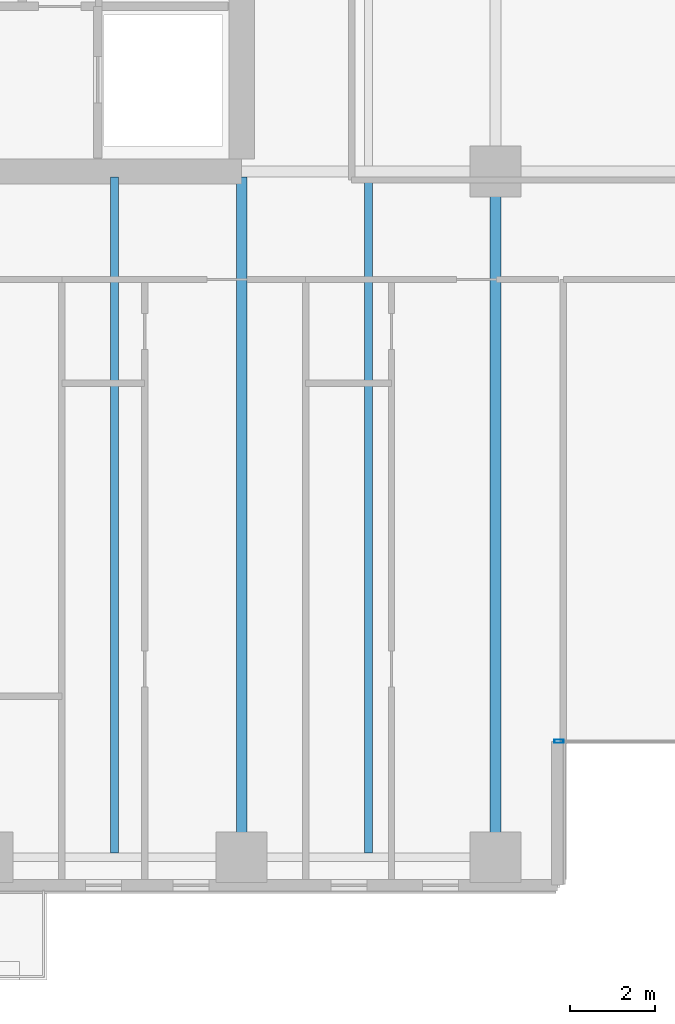
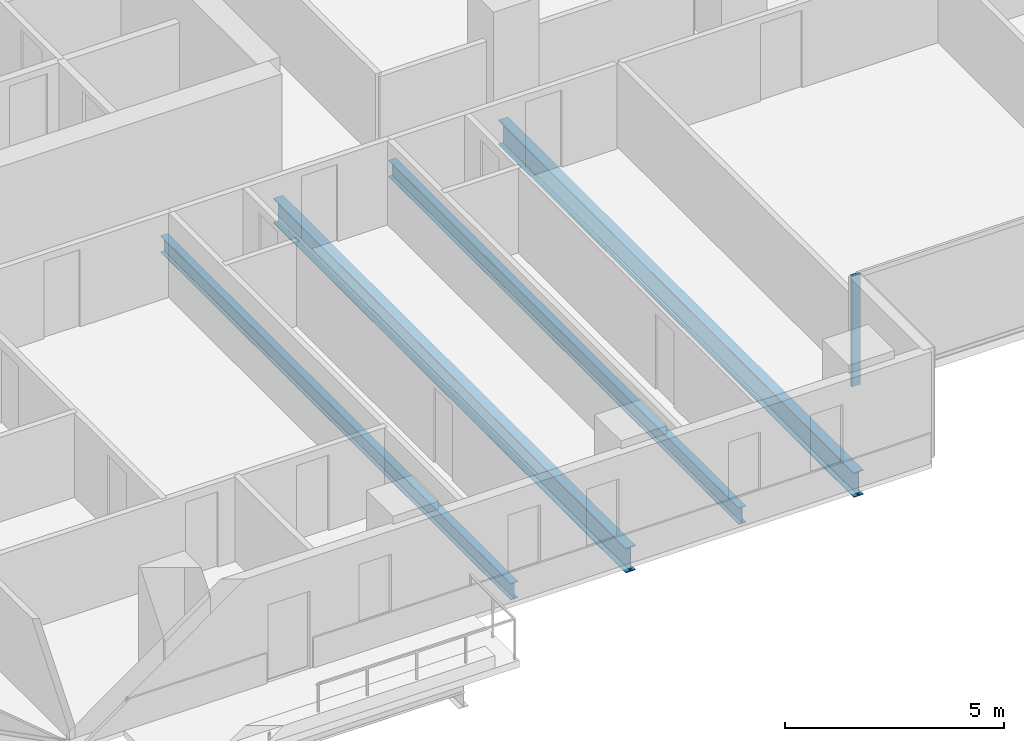
# One storey, part 4 of 33: 4 beams, 1 member, 1 element without a shape of its own.
"""IFC4 building model written with IfcOpenShell, lengths in metres."""

from ifc_helpers import new_model, si_unit, direction, frame, origin, origin_2d, place, context, subcontext, project, spatial, hollow_rectangle, i_section, extrude, material, layer, layer_set, material_profile, profile_set, type_object, element, aggregate, save


model = new_model("IFC4")

# Units and contexts
model_context = context("Model", 3, precision=1e-05, world=origin(), true_north=direction((0.0, 1.0)))
body_context = subcontext(model_context, "Body", "Model", "MODEL_VIEW")
ifc_project = project(units=[si_unit("LENGTHUNIT", "METRE"), si_unit("AREAUNIT", "SQUARE_METRE"), si_unit("VOLUMEUNIT", "CUBIC_METRE"), si_unit("PLANEANGLEUNIT", "RADIAN"), si_unit("MASSUNIT", "GRAM", prefix="KILO")], contexts=[model_context])

# Site, building, storey
site_placement = place(None, origin())
site = spatial("IfcSite", under=ifc_project, at=site_placement, CompositionType="ELEMENT")
building_placement = place(site_placement, origin())
building = spatial("IfcBuilding", under=site, at=building_placement, Name="Tanjung Sevakor Pilgrim Tower", CompositionType="ELEMENT")
storey_placement = place(building_placement, frame((0.0, 0.0, 38.93994140625)))
storey = spatial("IfcBuildingStorey", under=building, at=storey_placement, Name="L10", CompositionType="ELEMENT", Elevation=38.93994140625)

# Beams
ifc_material_1 = material(Name="Steel S355J2", Category="steel")
ifc_material_profile_1 = material_profile(ifc_material_1, i_section(OverallWidth=0.25439453125, OverallDepth=0.6875, WebThickness=0.01318359375, FlangeThickness=0.02099609375, FilletRadius=0.01513671875, at=origin_2d()))
ifc_profile_set_1 = profile_set([ifc_material_profile_1], Name="Steel S355J2")
beam_type_1 = type_object("IfcBeamType", Name="BM-B-G2-UB_686x254x152", PredefinedType="BEAM", material=ifc_profile_set_1)
beam_1_placement = place(storey_placement, frame((36.0, 8.39990234375, -0.563720703125), z_axis=(0.0, 1.0, 0.0), x_axis=(-1.0, 0.0, 0.0)))
element("IfcBeam", 1, at=beam_1_placement, inside=storey, type_object=beam_type_1, Name="L10 MAIN Girder 005", PredefinedType="BEAM", context=body_context, shape_type="SweptSolid", body=[
    extrude(i_section(OverallWidth=0.25439453125, OverallDepth=0.6875, WebThickness=0.01318359375, FlangeThickness=0.02099609375, FilletRadius=0.01513671875, at=origin_2d()), origin(), (0.0, 0.0, 1.0), 16.066162109375),
])
beam_2_placement = place(storey_placement, frame((42.0, 8.39990234375, -0.563720703125), z_axis=(0.0, 1.0, 0.0), x_axis=(-1.0, 0.0, 0.0)))
element("IfcBeam", 2, at=beam_2_placement, inside=storey, type_object=beam_type_1, Name="L10 MAIN Girder 010", PredefinedType="BEAM", context=body_context, shape_type="SweptSolid", body=[
    extrude(i_section(OverallWidth=0.25439453125, OverallDepth=0.6875, WebThickness=0.01318359375, FlangeThickness=0.02099609375, FilletRadius=0.01513671875, at=origin_2d()), origin(), (0.0, 0.0, 1.0), 16.2001953125),
])
ifc_material_2 = material(Name="Steel S355J2", Category="steel")
ifc_material_profile_2 = material_profile(ifc_material_2, i_section(OverallWidth=0.19140625, OverallDepth=0.4599609375, WebThickness=0.010009765625, FlangeThickness=0.01611328125, FilletRadius=0.01025390625, at=origin_2d()))
ifc_profile_set_2 = profile_set([ifc_material_profile_2], Name="Steel S355J2")
beam_type_2 = type_object("IfcBeamType", Name="BM-B-J2-UB_457x191x82", PredefinedType="JOIST", material=ifc_profile_set_2)
for number, where, z_axis, x_axis, name in (
    (3, (33.0, 8.5, -0.449951171875), (0.0, 1.0, 0.0), (-1.0, 0.0, 0.0), "L10 MAIN Joist 003"),
    (4, (39.0, 8.5, -0.449951171875), (0.0, 1.0, 0.0), (-1.0, 0.0, 0.0), "L10 MAIN Joist 007"),
):
    element("IfcBeam", number, at=place(storey_placement, frame(where, z_axis=z_axis, x_axis=x_axis)), inside=storey, type_object=beam_type_2, Name=name, PredefinedType="JOIST", context=body_context, shape_type="SweptSolid", body=[
        extrude(i_section(OverallWidth=0.19140625, OverallDepth=0.4599609375, WebThickness=0.010009765625, FlangeThickness=0.01611328125, FilletRadius=0.01025390625, at=origin_2d()), origin(), (0.0, 0.0, 1.0), 15.966064453125),
    ])

# Curtain wall, member
ifc_material_3 = material(Name="Aluminium 6063-T6 and Low-E Glass", Category="aluminium")
ifc_layer = layer(ifc_material_3, 0.179931640625)
ifc_layer_set = layer_set([ifc_layer], Name="CW-SYS-CLEFT")
curtain_wall_type = type_object("IfcCurtainWallType", Name="CW-SYS-CLEFT", PredefinedType="NOTDEFINED", material=ifc_layer_set)
curtain_wall_placement = place(storey_placement, origin())
curtain_wall = element("IfcCurtainWall", 5, at=curtain_wall_placement, inside=storey, type_object=curtain_wall_type, Name="L10 Curtain Wall CW-CLF-L10-2", PredefinedType="NOTDEFINED")
ifc_material_4 = material(Name="Aluminium 6063-T6", Category="aluminium")
ifc_material_profile_3 = material_profile(ifc_material_4, hollow_rectangle(XDim=0.074951171875, YDim=0.219970703125, WallThickness=0.0048828125, at=origin_2d()))
ifc_profile_set_3 = profile_set([ifc_material_profile_3], Name="Aluminium 6063-T6")
member_type = type_object("IfcMemberType", Name="TYPE-CWM-2", PredefinedType="MULLION", material=ifc_profile_set_3)
member_placement = place(storey_placement, frame((43.49755859375, 11.139892578125, 0.0), z_axis=(0.0, 0.0, 1.0), x_axis=(0.0, 1.0, 0.0)))
member = element("IfcMember", 6, at=member_placement, type_object=member_type, Name="CW-CLF mullion 1", PredefinedType="MULLION", context=body_context, shape_type="SweptSolid", body=[
    extrude(hollow_rectangle(XDim=0.074951171875, YDim=0.219970703125, WallThickness=0.0048828125, at=origin_2d()), origin(), (0.0, 0.0, 1.0), 3.080078125),
])
aggregate(curtain_wall, [member])

save(model, "model.ifc")
